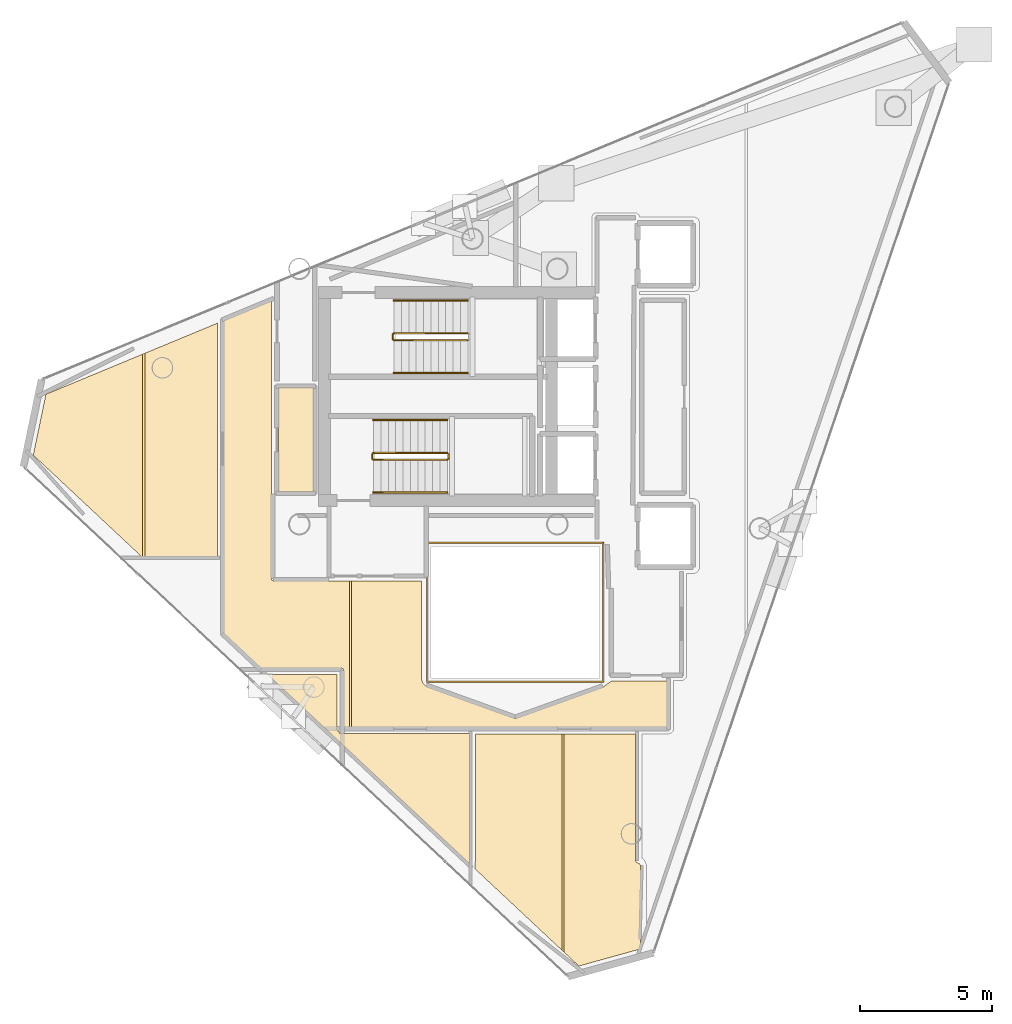
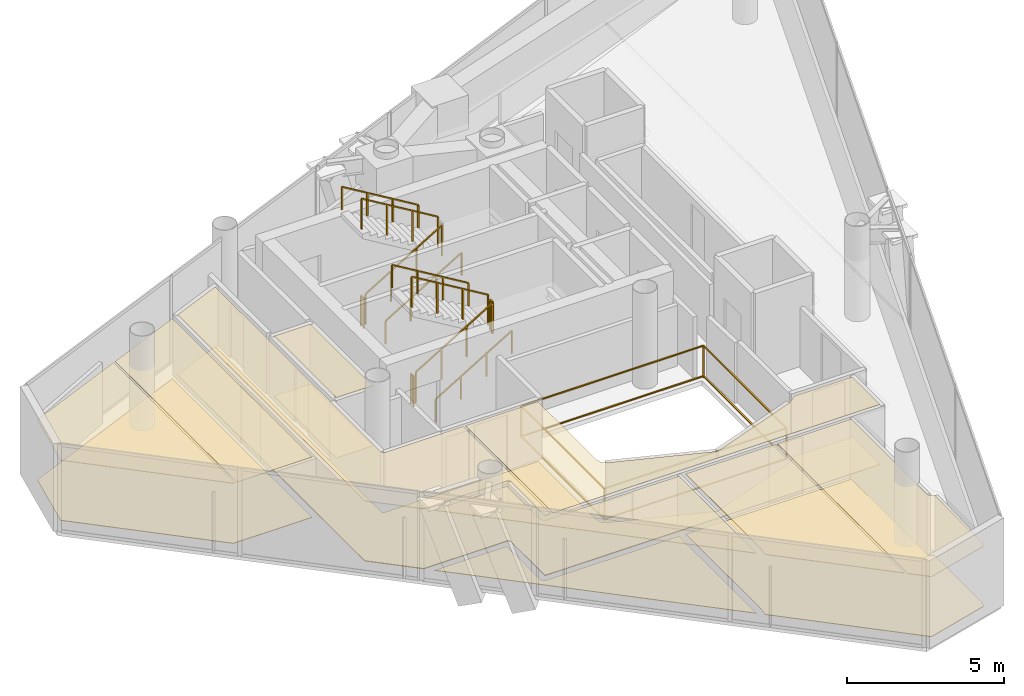
# One storey, part 17 of 18: 13 coverings, 12 railings.
"""IFC4 building model written with IfcOpenShell, lengths in metres."""

from ifc_helpers import new_model, si_unit, direction, frame, origin, origin_2d, place, context, subcontext, project, spatial, polyline, rectangle, outline, extrude, material, layer, layer_set, type_object, element, save


model = new_model("IFC4")

# Units and contexts
model_context = context("Model", 3, precision=1e-05, world=origin(), true_north=direction((0.0, 1.0)))
body_context = subcontext(model_context, "Body", "Model", "MODEL_VIEW")
ifc_project = project(units=[si_unit("LENGTHUNIT", "METRE"), si_unit("AREAUNIT", "SQUARE_METRE"), si_unit("VOLUMEUNIT", "CUBIC_METRE"), si_unit("PLANEANGLEUNIT", "RADIAN"), si_unit("MASSUNIT", "GRAM", prefix="KILO")], contexts=[model_context])

# Site, building, storey
site_placement = place(None, origin())
site = spatial("IfcSite", under=ifc_project, at=site_placement, CompositionType="ELEMENT")
building_placement = place(site_placement, origin())
building = spatial("IfcBuilding", under=site, at=building_placement, Name="Qianvela Tower", CompositionType="ELEMENT")
storey_placement = place(building_placement, frame((0.0, 0.0, 348.10009765625)))
storey = spatial("IfcBuildingStorey", under=building, at=storey_placement, Name="L90", CompositionType="ELEMENT", Elevation=348.10009765625)

# Coverings
ifc_material_1 = material(Name="Perforated Mineral Acoustic Ceiling Tile")
ifc_layer_1 = layer(ifc_material_1, 0.02490234375)
ifc_layer_set_1 = layer_set([ifc_layer_1], Name="Perforated Mineral Acoustic Ceiling Tile")
covering_type_1 = type_object("IfcCoveringType", Name="COV-CEIL-ACOUSTIC-25", PredefinedType="CEILING", material=ifc_layer_set_1)
covering_1_placement = place(storey_placement, frame((0.0, 0.0, 2.324951171875)))
element("IfcCovering", 1, at=covering_1_placement, inside=storey, type_object=covering_type_1, Name="L90 Acoustic Ceiling L90 Core Tea Pantry West", PredefinedType="CEILING", context=body_context, shape_type="SweptSolid", body=[
    extrude(outline(polyline([(27.800048828125, 25.080078125), (27.800048828125, 29.0400390625), (29.139892578125, 29.0400390625), (29.139892578125, 25.080078125), (27.800048828125, 25.080078125)])), origin(), (0.0, 0.0, 1.0), 0.02490234375),
])
covering_2_placement = place(storey_placement, frame((0.0, 0.0, 2.324951171875)))
element("IfcCovering", 2, at=covering_2_placement, inside=storey, type_object=covering_type_1, Name="L90 Acoustic Ceiling Bay 1 L90 Floor Corridor", PredefinedType="CEILING", context=body_context, shape_type="SweptSolid", body=[
    extrude(outline(polyline([(30.280029296875, 16.1298828125), (30.280029296875, 18.300048828125), (30.279541015625, 18.307861328125), (30.278564453125, 18.315673828125), (30.276611328125, 18.3232421875), (30.27392578125, 18.33056640625), (30.2705078125, 18.337646484375), (30.2666015625, 18.344482421875), (30.26171875, 18.350830078125), (30.256591796875, 18.356689453125), (30.250732421875, 18.36181640625), (30.244384765625, 18.366455078125), (30.23779296875, 18.37060546875), (30.230712890625, 18.373779296875), (30.22314453125, 18.376708984375), (30.215576171875, 18.37841796875), (30.207763671875, 18.379638671875), (30.199951171875, 18.3798828125), (27.1337890625, 18.3798828125), (25.72998046875, 19.694580078125), (25.72998046875, 31.5859375), (27.5400390625, 32.336669921875), (27.5400390625, 21.780029296875), (27.540283203125, 21.772216796875), (27.54150390625, 21.764404296875), (27.54345703125, 21.7568359375), (27.546142578125, 21.74951171875), (27.54931640625, 21.7421875), (27.553466796875, 21.735595703125), (27.55810546875, 21.729248046875), (27.5634765625, 21.723388671875), (27.569091796875, 21.71826171875), (27.57568359375, 21.71337890625), (27.582275390625, 21.70947265625), (27.58935546875, 21.7060546875), (27.5966796875, 21.703369140625), (27.6044921875, 21.701416015625), (27.6123046875, 21.700439453125), (27.6201171875, 21.699951171875), (30.49951171875, 21.699951171875), (30.49951171875, 16.1298828125), (30.280029296875, 16.1298828125)])), origin(), (0.0, 0.0, 1.0), 0.02490234375),
])
covering_3_placement = place(storey_placement, frame((0.0, 0.0, 2.324951171875)))
element("IfcCovering", 3, at=covering_3_placement, inside=storey, type_object=covering_type_1, Name="L90 Acoustic Ceiling Bay 2 L90 Floor Corridor", PredefinedType="CEILING", context=body_context, shape_type="SweptSolid", body=[
    extrude(outline(polyline([(33.239990234375, 18.0), (33.240478515625, 17.990234375), (33.242431640625, 17.980712890625), (33.275390625, 17.8486328125), (33.277587890625, 17.841064453125), (33.28076171875, 17.833740234375), (33.284423828125, 17.826904296875), (33.288818359375, 17.8203125), (33.293701171875, 17.814208984375), (33.38525390625, 17.71337890625), (33.390625, 17.7080078125), (33.396728515625, 17.702880859375), (33.4033203125, 17.698486328125), (33.41015625, 17.69482421875), (33.417236328125, 17.69189453125), (36.77294921875, 16.482666015625), (36.780517578125, 16.48046875), (36.7880859375, 16.47900390625), (36.7958984375, 16.47802734375), (36.8037109375, 16.47802734375), (36.811767578125, 16.47900390625), (36.8193359375, 16.48046875), (36.826904296875, 16.482666015625), (40.134033203125, 17.666015625), (40.140869140625, 17.668701171875), (40.1474609375, 17.672119140625), (40.153564453125, 17.676025390625), (40.458740234375, 17.89306640625), (42.570068359375, 17.899658203125), (42.570068359375, 16.1298828125), (30.579345703125, 16.1298828125), (30.579345703125, 21.699951171875), (33.239990234375, 21.699951171875), (33.239990234375, 18.0)])), origin(), (0.0, 0.0, 1.0), 0.02490234375),
])
covering_4_placement = place(storey_placement, frame((0.0, 0.0, 2.324951171875)))
element("IfcCovering", 4, at=covering_4_placement, inside=storey, type_object=covering_type_1, Name="L90 Acoustic Ceiling Maker Craft Workshop L90-01", PredefinedType="CEILING", context=body_context, shape_type="SweptSolid", body=[
    extrude(outline(polyline([(30.0400390625, 18.139892578125), (30.0400390625, 16.050048828125), (30.040283203125, 16.042236328125), (30.04150390625, 16.034423828125), (30.04345703125, 16.02685546875), (30.046142578125, 16.019287109375), (30.04931640625, 16.01220703125), (30.053466796875, 16.005615234375), (30.05810546875, 15.999267578125), (30.12255859375, 15.9208984375), (30.127685546875, 15.9150390625), (30.133544921875, 15.90966796875), (30.139892578125, 15.905029296875), (30.146728515625, 15.90087890625), (30.15380859375, 15.897705078125), (30.1611328125, 15.89501953125), (30.168701171875, 15.89306640625), (30.176513671875, 15.891845703125), (30.184326171875, 15.8916015625), (35.05712890625, 15.890869140625), (35.05712890625, 10.96044921875), (27.39013671875, 18.139892578125), (30.0400390625, 18.139892578125)])), origin(), (0.0, 0.0, 1.0), 0.02490234375),
])
covering_5_placement = place(storey_placement, frame((0.0, 0.0, 2.324951171875)))
element("IfcCovering", 5, at=covering_5_placement, inside=storey, type_object=covering_type_1, Name="L90 Acoustic Ceiling Bay 1 Student Reading Library L90-02", PredefinedType="CEILING", context=body_context, shape_type="SweptSolid", body=[
    extrude(outline(polyline([(35.279296875, 11.01708984375), (35.2841796875, 11.02294921875), (35.28857421875, 11.029052734375), (35.292236328125, 11.03564453125), (35.29541015625, 11.04248046875), (35.2978515625, 11.0498046875), (35.2998046875, 11.056884765625), (35.30078125, 11.064453125), (35.301025390625, 11.072021484375), (35.301025390625, 15.889892578125), (38.57421875, 15.889892578125), (38.57421875, 7.666748046875), (35.26416015625, 10.7666015625), (35.276611328125, 11.0146484375), (35.279296875, 11.01708984375)])), origin(), (0.0, 0.0, 1.0), 0.02490234375),
])
covering_6_placement = place(storey_placement, frame((0.0, 0.0, 2.324951171875)))
element("IfcCovering", 6, at=covering_6_placement, inside=storey, type_object=covering_type_1, Name="L90 Acoustic Ceiling Bay 2 Student Reading Library L90-02", PredefinedType="CEILING", context=body_context, shape_type="SweptSolid", body=[
    extrude(outline(polyline([(41.3779296875, 15.889892578125), (41.3779296875, 11.072021484375), (41.37841796875, 11.064208984375), (41.37939453125, 11.056396484375), (41.38134765625, 11.048828125), (41.384033203125, 11.04150390625), (41.387451171875, 11.0341796875), (41.3916015625, 11.027587890625), (41.396240234375, 11.021240234375), (41.4013671875, 11.015380859375), (41.4072265625, 11.01025390625), (41.41357421875, 11.005615234375), (41.42041015625, 11.00146484375), (41.427490234375, 10.998046875), (41.52392578125, 10.9580078125), (41.55810546875, 10.876220703125), (41.55810546875, 7.888916015625), (41.49267578125, 7.69677734375), (39.21630859375, 7.065673828125), (38.654296875, 7.591796875), (38.654296875, 15.889892578125), (41.3779296875, 15.889892578125)])), origin(), (0.0, 0.0, 1.0), 0.02490234375),
])
covering_7_placement = place(storey_placement, frame((0.0, 0.0, 2.324951171875)))
element("IfcCovering", 7, at=covering_7_placement, inside=storey, type_object=covering_type_1, Name="L90 Acoustic Ceiling Bay 1 Student Fitness Gym L90-04", PredefinedType="CEILING", context=body_context, shape_type="SweptSolid", body=[
    extrude(outline(polyline([(22.60400390625, 22.6220703125), (18.493896484375, 26.470947265625), (18.974365234375, 28.78369140625), (22.65087890625, 30.30859375), (22.65087890625, 22.6220703125), (22.60400390625, 22.6220703125)])), origin(), (0.0, 0.0, 1.0), 0.02490234375),
])
covering_8_placement = place(storey_placement, frame((0.0, 0.0, 2.324951171875)))
element("IfcCovering", 8, at=covering_8_placement, inside=storey, type_object=covering_type_1, Name="L90 Acoustic Ceiling Bay 2 Student Fitness Gym L90-04", PredefinedType="CEILING", context=body_context, shape_type="SweptSolid", body=[
    extrude(outline(polyline([(25.489990234375, 22.6220703125), (22.730712890625, 22.6220703125), (22.730712890625, 30.341796875), (25.489990234375, 31.486328125), (25.489990234375, 22.6220703125)])), origin(), (0.0, 0.0, 1.0), 0.02490234375),
])
ifc_material_2 = material(Name="Engineered Acoustic Oak Timber Flooring", Category="wood")
ifc_layer_2 = layer(ifc_material_2, 0.02001953125)
ifc_layer_set_2 = layer_set([ifc_layer_2], Name="Engineered Acoustic Oak Timber Flooring")
covering_type_2 = type_object("IfcCoveringType", Name="COV-FLOOR-OAK-20", PredefinedType="FLOORING", material=ifc_layer_set_2)
covering_9_placement = place(storey_placement, origin())
element("IfcCovering", 9, at=covering_9_placement, inside=storey, type_object=covering_type_2, Name="L90 Finish Flooring L90 Core Tea Pantry West", PredefinedType="FLOORING", context=body_context, shape_type="SweptSolid", body=[
    extrude(outline(polyline([(27.800048828125, 25.080078125), (27.800048828125, 29.0400390625), (29.139892578125, 29.0400390625), (29.139892578125, 25.080078125), (27.800048828125, 25.080078125)])), origin(), (0.0, 0.0, 1.0), 0.02001953125),
])
covering_10_placement = place(storey_placement, origin())
element("IfcCovering", 10, at=covering_10_placement, inside=storey, type_object=covering_type_2, Name="L90 Finish Flooring Maker Craft Workshop L90-01", PredefinedType="FLOORING", context=body_context, shape_type="SweptSolid", body=[
    extrude(outline(polyline([(30.0400390625, 18.139892578125), (30.0400390625, 16.050048828125), (30.040283203125, 16.042236328125), (30.04150390625, 16.034423828125), (30.04345703125, 16.02685546875), (30.046142578125, 16.019287109375), (30.04931640625, 16.01220703125), (30.053466796875, 16.005615234375), (30.05810546875, 15.999267578125), (30.12255859375, 15.9208984375), (30.127685546875, 15.9150390625), (30.133544921875, 15.90966796875), (30.139892578125, 15.905029296875), (30.146728515625, 15.90087890625), (30.15380859375, 15.897705078125), (30.1611328125, 15.89501953125), (30.168701171875, 15.89306640625), (30.176513671875, 15.891845703125), (30.184326171875, 15.8916015625), (35.05712890625, 15.890869140625), (35.05712890625, 10.96044921875), (27.39013671875, 18.139892578125), (30.0400390625, 18.139892578125)])), origin(), (0.0, 0.0, 1.0), 0.02001953125),
])
covering_11_placement = place(storey_placement, origin())
element("IfcCovering", 11, at=covering_11_placement, inside=storey, type_object=covering_type_2, Name="L90 Finish Flooring Student Reading Library L90-02", PredefinedType="FLOORING", context=body_context, shape_type="SweptSolid", body=[
    extrude(outline(polyline([(35.276611328125, 11.0146484375), (35.279296875, 11.01708984375), (35.2841796875, 11.02294921875), (35.28857421875, 11.029052734375), (35.292236328125, 11.03564453125), (35.29541015625, 11.04248046875), (35.2978515625, 11.0498046875), (35.2998046875, 11.056884765625), (35.30078125, 11.064453125), (35.301025390625, 11.072021484375), (35.301025390625, 15.889892578125), (41.3779296875, 15.889892578125), (41.3779296875, 11.072021484375), (41.37841796875, 11.064208984375), (41.37939453125, 11.056396484375), (41.38134765625, 11.048828125), (41.384033203125, 11.04150390625), (41.387451171875, 11.0341796875), (41.3916015625, 11.027587890625), (41.396240234375, 11.021240234375), (41.4013671875, 11.015380859375), (41.4072265625, 11.01025390625), (41.41357421875, 11.005615234375), (41.42041015625, 11.00146484375), (41.427490234375, 10.998046875), (41.52392578125, 10.9580078125), (41.55810546875, 10.876220703125), (41.55810546875, 7.888916015625), (41.49267578125, 7.69677734375), (39.21630859375, 7.065673828125), (35.26416015625, 10.7666015625), (35.276611328125, 11.0146484375)])), origin(), (0.0, 0.0, 1.0), 0.02001953125),
])
covering_12_placement = place(storey_placement, origin())
element("IfcCovering", 12, at=covering_12_placement, inside=storey, type_object=covering_type_2, Name="L90 Finish Flooring Student Fitness Gym L90-04", PredefinedType="FLOORING", context=body_context, shape_type="SweptSolid", body=[
    extrude(outline(polyline([(25.489990234375, 31.486328125), (25.489990234375, 22.6220703125), (22.60400390625, 22.6220703125), (18.493896484375, 26.470947265625), (18.974365234375, 28.78369140625), (25.489990234375, 31.486328125)])), origin(), (0.0, 0.0, 1.0), 0.02001953125),
])
ifc_material_3 = material(Name="Honed Stone Terrazzo Flooring", Category="masonry")
ifc_layer_3 = layer(ifc_material_3, 0.030029296875)
ifc_layer_set_3 = layer_set([ifc_layer_3], Name="Honed Stone Terrazzo Flooring")
covering_type_3 = type_object("IfcCoveringType", Name="COV-FLOOR-TERRAZZO-30", PredefinedType="FLOORING", material=ifc_layer_set_3)
covering_13_placement = place(storey_placement, origin())
element("IfcCovering", 13, at=covering_13_placement, inside=storey, type_object=covering_type_3, Name="L90 Finish Flooring L90 Floor Corridor", PredefinedType="FLOORING", context=body_context, shape_type="SweptSolid", body=[
    extrude(outline(polyline([(33.239990234375, 21.699951171875), (33.239990234375, 18.0), (33.240478515625, 17.990234375), (33.242431640625, 17.980712890625), (33.275390625, 17.8486328125), (33.277587890625, 17.841064453125), (33.28076171875, 17.833740234375), (33.284423828125, 17.826904296875), (33.288818359375, 17.8203125), (33.293701171875, 17.814208984375), (33.38525390625, 17.71337890625), (33.390625, 17.7080078125), (33.396728515625, 17.702880859375), (33.4033203125, 17.698486328125), (33.41015625, 17.69482421875), (33.417236328125, 17.69189453125), (36.77294921875, 16.482666015625), (36.780517578125, 16.48046875), (36.7880859375, 16.47900390625), (36.7958984375, 16.47802734375), (36.8037109375, 16.47802734375), (36.811767578125, 16.47900390625), (36.8193359375, 16.48046875), (36.826904296875, 16.482666015625), (40.134033203125, 17.666015625), (40.140869140625, 17.668701171875), (40.1474609375, 17.672119140625), (40.153564453125, 17.676025390625), (40.458740234375, 17.89306640625), (42.570068359375, 17.899658203125), (42.570068359375, 16.1298828125), (30.280029296875, 16.1298828125), (30.280029296875, 18.300048828125), (30.279541015625, 18.307861328125), (30.278564453125, 18.315673828125), (30.276611328125, 18.3232421875), (30.27392578125, 18.33056640625), (30.2705078125, 18.337646484375), (30.2666015625, 18.344482421875), (30.26171875, 18.350830078125), (30.256591796875, 18.356689453125), (30.250732421875, 18.36181640625), (30.244384765625, 18.366455078125), (30.23779296875, 18.37060546875), (30.230712890625, 18.373779296875), (30.22314453125, 18.376708984375), (30.215576171875, 18.37841796875), (30.207763671875, 18.379638671875), (30.199951171875, 18.3798828125), (27.1337890625, 18.3798828125), (25.72998046875, 19.694580078125), (25.72998046875, 31.5859375), (27.5400390625, 32.336669921875), (27.5400390625, 21.780029296875), (27.540283203125, 21.772216796875), (27.54150390625, 21.764404296875), (27.54345703125, 21.7568359375), (27.546142578125, 21.74951171875), (27.54931640625, 21.7421875), (27.553466796875, 21.735595703125), (27.55810546875, 21.729248046875), (27.5634765625, 21.723388671875), (27.569091796875, 21.71826171875), (27.57568359375, 21.71337890625), (27.582275390625, 21.70947265625), (27.58935546875, 21.7060546875), (27.5966796875, 21.703369140625), (27.6044921875, 21.701416015625), (27.6123046875, 21.700439453125), (27.6201171875, 21.699951171875), (33.239990234375, 21.699951171875)])), origin(), (0.0, 0.0, 1.0), 0.02978515625),
])

# Railings
ifc_material_4 = material(Name="Laminated Safety Glass and Stainless Steel 316", Category="steel")
railing_type_1 = type_object("IfcRailingType", Name="RL-ATRIUM-GUARD-1250", PredefinedType="GUARDRAIL", material=ifc_material_4)
railing_1_placement = place(storey_placement, frame((33.4599609375, 17.860107421875, 0.0)))
element("IfcRailing", 14, at=railing_1_placement, inside=storey, type_object=railing_type_1, Name="L90 Atrium Edge Guardrail 1", PredefinedType="GUARDRAIL", context=body_context, shape_type="SweptSolid", body=[
    extrude(rectangle(XDim=0.050048828125, YDim=0.0400390625, at=origin_2d()), frame((0.0, 0.0, 1.22998046875), z_axis=(0.0, 1.0, 0.0), x_axis=(-1.0, 0.0, 0.0)), (0.0, 0.0, 1.0), 5.27978515625),
    extrude(rectangle(XDim=0.050048828125, YDim=0.0400390625, at=origin_2d()), frame((0.0, 0.0, 0.050048828125), z_axis=(0.0, 1.0, 0.0), x_axis=(-1.0, 0.0, 0.0)), (0.0, 0.0, 1.0), 5.27978515625),
    extrude(rectangle(XDim=0.050048828125, YDim=0.0400390625, at=origin_2d()), frame((0.0, 5.27978515625, 1.22998046875), z_axis=(1.0, 0.0, 0.0), x_axis=(0.0, 1.0, 0.0)), (0.0, 0.0, 1.0), 6.679931640625),
    extrude(rectangle(XDim=0.050048828125, YDim=0.0400390625, at=origin_2d()), frame((0.0, 5.27978515625, 0.050048828125), z_axis=(1.0, 0.0, 0.0), x_axis=(0.0, 1.0, 0.0)), (0.0, 0.0, 1.0), 6.679931640625),
    extrude(rectangle(XDim=0.050048828125, YDim=0.0400390625, at=origin_2d()), frame((6.679931640625, 5.27978515625, 1.22998046875), z_axis=(0.0, -1.0, 0.0), x_axis=(1.0, 0.0, 0.0)), (0.0, 0.0, 1.0), 5.27978515625),
    extrude(rectangle(XDim=0.050048828125, YDim=0.0400390625, at=origin_2d()), frame((6.679931640625, 5.27978515625, 0.050048828125), z_axis=(0.0, -1.0, 0.0), x_axis=(1.0, 0.0, 0.0)), (0.0, 0.0, 1.0), 5.27978515625),
    extrude(rectangle(XDim=0.050048828125, YDim=0.0400390625, at=origin_2d()), frame((6.679931640625, 0.0, 1.22998046875), z_axis=(-1.0, 0.0, 0.0), x_axis=(0.0, -1.0, 0.0)), (0.0, 0.0, 1.0), 6.679931640625),
    extrude(rectangle(XDim=0.050048828125, YDim=0.0400390625, at=origin_2d()), frame((6.679931640625, 0.0, 0.050048828125), z_axis=(-1.0, 0.0, 0.0), x_axis=(0.0, -1.0, 0.0)), (0.0, 0.0, 1.0), 6.679931640625),
    extrude(rectangle(XDim=0.050048828125, YDim=0.050048828125, at=origin_2d()), origin(), (0.0, 0.0, 1.0), 1.2099609375),
    extrude(rectangle(XDim=0.050048828125, YDim=0.050048828125, at=origin_2d()), frame((0.0, 5.27978515625, 0.0)), (0.0, 0.0, 1.0), 1.2099609375),
    extrude(rectangle(XDim=0.050048828125, YDim=0.050048828125, at=origin_2d()), frame((6.679931640625, 5.27978515625, 0.0)), (0.0, 0.0, 1.0), 1.2099609375),
    extrude(rectangle(XDim=0.050048828125, YDim=0.050048828125, at=origin_2d()), frame((6.679931640625, 0.0, 0.0)), (0.0, 0.0, 1.0), 1.2099609375),
])
ifc_material_5 = material(Name="Painted Tubular Steel Q355B", Category="steel")
railing_type_2 = type_object("IfcRailingType", Name="RL-STAIR-GUARD-1200", PredefinedType="GUARDRAIL", material=ifc_material_5)
railing_2_placement = place(storey_placement, frame((32.199951171875, 30.840087890625, 0.16796875)))
element("IfcRailing", 15, at=railing_2_placement, inside=storey, type_object=railing_type_2, Name="L90 ST-1 stair guard 1", PredefinedType="GUARDRAIL", context=body_context, shape_type="SweptSolid", body=[
    extrude(rectangle(XDim=0.050048828125, YDim=0.0400390625, at=origin_2d()), frame((0.0, 0.0, 1.179931640625), z_axis=(0.857242210791, 0.0, 0.514913383045), x_axis=(0.0, 1.0, 0.0)), (0.0, 0.0, 1.0), 3.266357421875),
    extrude(rectangle(XDim=0.050048828125, YDim=0.050048828125, at=origin_2d()), origin(), (0.0, 0.0, 1.0), 1.159912109375),
    extrude(rectangle(XDim=0.050048828125, YDim=0.050048828125, at=origin_2d()), frame((0.933349609375, 0.0, 0.560546875)), (0.0, 0.0, 1.0), 1.159912109375),
    extrude(rectangle(XDim=0.050048828125, YDim=0.050048828125, at=origin_2d()), frame((1.86669921875, 0.0, 1.121337890625)), (0.0, 0.0, 1.0), 1.159912109375),
    extrude(rectangle(XDim=0.050048828125, YDim=0.050048828125, at=origin_2d()), frame((2.800048828125, 0.0, 1.681884765625)), (0.0, 0.0, 1.0), 1.159912109375),
])
railing_3_placement = place(storey_placement, frame((35.0, 31.10009765625, 2.01806640625)))
element("IfcRailing", 16, at=railing_3_placement, inside=storey, type_object=railing_type_2, Name="L90 ST-1 stair guard 3", PredefinedType="GUARDRAIL", context=body_context, shape_type="SweptSolid", body=[
    extrude(rectangle(XDim=0.050048828125, YDim=0.0400390625, at=origin_2d()), frame((0.0, 0.0, 1.179931640625), z_axis=(-0.857242210791, 0.0, 0.514913383045), x_axis=(0.0, -1.0, 0.0)), (0.0, 0.0, 1.0), 3.266357421875),
    extrude(rectangle(XDim=0.050048828125, YDim=0.050048828125, at=origin_2d()), origin(), (0.0, 0.0, 1.0), 1.159912109375),
    extrude(rectangle(XDim=0.050048828125, YDim=0.050048828125, at=origin_2d()), frame((-0.933349609375, 0.0, 0.560546875)), (0.0, 0.0, 1.0), 1.159912109375),
    extrude(rectangle(XDim=0.050048828125, YDim=0.050048828125, at=origin_2d()), frame((-1.86669921875, 0.0, 1.121337890625)), (0.0, 0.0, 1.0), 1.159912109375),
    extrude(rectangle(XDim=0.050048828125, YDim=0.050048828125, at=origin_2d()), frame((-2.800048828125, 0.0, 1.681884765625)), (0.0, 0.0, 1.0), 1.159912109375),
])
railing_4_placement = place(storey_placement, frame((32.14990234375, 30.889892578125, 0.0)))
element("IfcRailing", 17, at=railing_4_placement, inside=storey, type_object=railing_type_2, Name="L90 ST-1 stair guard 4", PredefinedType="GUARDRAIL", context=body_context, shape_type="SweptSolid", body=[
    extrude(rectangle(XDim=0.050048828125, YDim=0.0400390625, at=origin_2d()), frame((0.0, 0.0, 1.179931640625), z_axis=(0.0, 1.0, 0.0), x_axis=(-1.0, 0.0, 0.0)), (0.0, 0.0, 1.0), 0.16015625),
    extrude(rectangle(XDim=0.050048828125, YDim=0.050048828125, at=origin_2d()), origin(), (0.0, 0.0, 1.0), 1.159912109375),
    extrude(rectangle(XDim=0.050048828125, YDim=0.050048828125, at=origin_2d()), frame((0.0, 0.16015625, 0.0)), (0.0, 0.0, 1.0), 1.159912109375),
])
railing_5_placement = place(storey_placement, frame((31.419921875, 26.300048828125, 0.16796875)))
element("IfcRailing", 18, at=railing_5_placement, inside=storey, type_object=railing_type_2, Name="L90 ST-2 stair guard 1", PredefinedType="GUARDRAIL", context=body_context, shape_type="SweptSolid", body=[
    extrude(rectangle(XDim=0.050048828125, YDim=0.0400390625, at=origin_2d()), frame((0.0, 0.0, 1.179931640625), z_axis=(0.857242210791, 0.0, 0.514913383045), x_axis=(0.0, 1.0, 0.0)), (0.0, 0.0, 1.0), 3.266357421875),
    extrude(rectangle(XDim=0.050048828125, YDim=0.050048828125, at=origin_2d()), origin(), (0.0, 0.0, 1.0), 1.159912109375),
    extrude(rectangle(XDim=0.050048828125, YDim=0.050048828125, at=origin_2d()), frame((0.933349609375, 0.0, 0.560546875)), (0.0, 0.0, 1.0), 1.159912109375),
    extrude(rectangle(XDim=0.050048828125, YDim=0.050048828125, at=origin_2d()), frame((1.86669921875, 0.0, 1.121337890625)), (0.0, 0.0, 1.0), 1.159912109375),
    extrude(rectangle(XDim=0.050048828125, YDim=0.050048828125, at=origin_2d()), frame((2.800048828125, 0.0, 1.681884765625)), (0.0, 0.0, 1.0), 1.159912109375),
])
railing_6_placement = place(storey_placement, frame((34.27001953125, 26.35009765625, 1.849853515625)))
element("IfcRailing", 19, at=railing_6_placement, inside=storey, type_object=railing_type_2, Name="L90 ST-2 stair guard 2", PredefinedType="GUARDRAIL", context=body_context, shape_type="SweptSolid", body=[
    extrude(rectangle(XDim=0.050048828125, YDim=0.0400390625, at=origin_2d()), frame((0.0, 0.0, 1.179931640625), z_axis=(0.0, 1.0, 0.0), x_axis=(-1.0, 0.0, 0.0)), (0.0, 0.0, 1.0), 0.159912109375),
    extrude(rectangle(XDim=0.050048828125, YDim=0.050048828125, at=origin_2d()), origin(), (0.0, 0.0, 1.0), 1.159912109375),
    extrude(rectangle(XDim=0.050048828125, YDim=0.050048828125, at=origin_2d()), frame((0.0, 0.159912109375, 0.0)), (0.0, 0.0, 1.0), 1.159912109375),
])
railing_7_placement = place(storey_placement, frame((34.219970703125, 26.56005859375, 2.01806640625)))
element("IfcRailing", 20, at=railing_7_placement, inside=storey, type_object=railing_type_2, Name="L90 ST-2 stair guard 3", PredefinedType="GUARDRAIL", context=body_context, shape_type="SweptSolid", body=[
    extrude(rectangle(XDim=0.050048828125, YDim=0.0400390625, at=origin_2d()), frame((0.0, 0.0, 1.179931640625), z_axis=(-0.857242210791, 0.0, 0.514913383045), x_axis=(0.0, -1.0, 0.0)), (0.0, 0.0, 1.0), 3.266357421875),
    extrude(rectangle(XDim=0.050048828125, YDim=0.050048828125, at=origin_2d()), origin(), (0.0, 0.0, 1.0), 1.159912109375),
    extrude(rectangle(XDim=0.050048828125, YDim=0.050048828125, at=origin_2d()), frame((-0.933349609375, 0.0, 0.560546875)), (0.0, 0.0, 1.0), 1.159912109375),
    extrude(rectangle(XDim=0.050048828125, YDim=0.050048828125, at=origin_2d()), frame((-1.86669921875, 0.0, 1.121337890625)), (0.0, 0.0, 1.0), 1.159912109375),
    extrude(rectangle(XDim=0.050048828125, YDim=0.050048828125, at=origin_2d()), frame((-2.800048828125, 0.0, 1.681884765625)), (0.0, 0.0, 1.0), 1.159912109375),
])
railing_8_placement = place(storey_placement, frame((31.3701171875, 26.35009765625, 0.0)))
element("IfcRailing", 21, at=railing_8_placement, inside=storey, type_object=railing_type_2, Name="L90 ST-2 stair guard 4", PredefinedType="GUARDRAIL", context=body_context, shape_type="SweptSolid", body=[
    extrude(rectangle(XDim=0.050048828125, YDim=0.0400390625, at=origin_2d()), frame((0.0, 0.0, 1.179931640625), z_axis=(0.0, 1.0, 0.0), x_axis=(-1.0, 0.0, 0.0)), (0.0, 0.0, 1.0), 0.159912109375),
    extrude(rectangle(XDim=0.050048828125, YDim=0.050048828125, at=origin_2d()), origin(), (0.0, 0.0, 1.0), 1.159912109375),
    extrude(rectangle(XDim=0.050048828125, YDim=0.050048828125, at=origin_2d()), frame((0.0, 0.159912109375, 0.0)), (0.0, 0.0, 1.0), 1.159912109375),
])
ifc_material_6 = material(Name="Brushed Stainless Steel 304", Category="steel")
railing_type_3 = type_object("IfcRailingType", Name="RL-STAIR-HANDRAIL-900", PredefinedType="HANDRAIL", material=ifc_material_6)
railing_9_placement = place(storey_placement, frame((32.199951171875, 29.590087890625, 0.16796875)))
element("IfcRailing", 22, at=railing_9_placement, inside=storey, type_object=railing_type_3, Name="L90 ST-1 stair handrail 1", PredefinedType="HANDRAIL", context=body_context, shape_type="SweptSolid", body=[
    extrude(rectangle(XDim=0.050048828125, YDim=0.0400390625, at=origin_2d()), frame((0.0, 0.0, 0.8798828125), z_axis=(0.857242210791, 0.0, 0.514913383045), x_axis=(0.0, 1.0, 0.0)), (0.0, 0.0, 1.0), 3.266357421875),
    extrude(rectangle(XDim=0.050048828125, YDim=0.050048828125, at=origin_2d()), origin(), (0.0, 0.0, 1.0), 0.85986328125),
    extrude(rectangle(XDim=0.050048828125, YDim=0.050048828125, at=origin_2d()), frame((0.933349609375, 0.0, 0.560546875)), (0.0, 0.0, 1.0), 0.85986328125),
    extrude(rectangle(XDim=0.050048828125, YDim=0.050048828125, at=origin_2d()), frame((1.86669921875, 0.0, 1.121337890625)), (0.0, 0.0, 1.0), 0.85986328125),
    extrude(rectangle(XDim=0.050048828125, YDim=0.050048828125, at=origin_2d()), frame((2.800048828125, 0.0, 1.681884765625)), (0.0, 0.0, 1.0), 0.85986328125),
])
railing_10_placement = place(storey_placement, frame((35.0, 32.35009765625, 2.01806640625)))
element("IfcRailing", 23, at=railing_10_placement, inside=storey, type_object=railing_type_3, Name="L90 ST-1 stair handrail 2", PredefinedType="HANDRAIL", context=body_context, shape_type="SweptSolid", body=[
    extrude(rectangle(XDim=0.050048828125, YDim=0.0400390625, at=origin_2d()), frame((0.0, 0.0, 0.8798828125), z_axis=(-0.857242210791, 0.0, 0.514913383045), x_axis=(0.0, -1.0, 0.0)), (0.0, 0.0, 1.0), 3.266357421875),
    extrude(rectangle(XDim=0.050048828125, YDim=0.050048828125, at=origin_2d()), origin(), (0.0, 0.0, 1.0), 0.85986328125),
    extrude(rectangle(XDim=0.050048828125, YDim=0.050048828125, at=origin_2d()), frame((-0.933349609375, 0.0, 0.560546875)), (0.0, 0.0, 1.0), 0.85986328125),
    extrude(rectangle(XDim=0.050048828125, YDim=0.050048828125, at=origin_2d()), frame((-1.86669921875, 0.0, 1.121337890625)), (0.0, 0.0, 1.0), 0.85986328125),
    extrude(rectangle(XDim=0.050048828125, YDim=0.050048828125, at=origin_2d()), frame((-2.800048828125, 0.0, 1.681884765625)), (0.0, 0.0, 1.0), 0.85986328125),
])
railing_11_placement = place(storey_placement, frame((31.419921875, 25.050048828125, 0.16796875)))
element("IfcRailing", 24, at=railing_11_placement, inside=storey, type_object=railing_type_3, Name="L90 ST-2 stair handrail 1", PredefinedType="HANDRAIL", context=body_context, shape_type="SweptSolid", body=[
    extrude(rectangle(XDim=0.050048828125, YDim=0.0400390625, at=origin_2d()), frame((0.0, 0.0, 0.8798828125), z_axis=(0.857242210791, 0.0, 0.514913383045), x_axis=(0.0, 1.0, 0.0)), (0.0, 0.0, 1.0), 3.266357421875),
    extrude(rectangle(XDim=0.050048828125, YDim=0.050048828125, at=origin_2d()), origin(), (0.0, 0.0, 1.0), 0.85986328125),
    extrude(rectangle(XDim=0.050048828125, YDim=0.050048828125, at=origin_2d()), frame((0.933349609375, 0.0, 0.560546875)), (0.0, 0.0, 1.0), 0.85986328125),
    extrude(rectangle(XDim=0.050048828125, YDim=0.050048828125, at=origin_2d()), frame((1.86669921875, 0.0, 1.121337890625)), (0.0, 0.0, 1.0), 0.85986328125),
    extrude(rectangle(XDim=0.050048828125, YDim=0.050048828125, at=origin_2d()), frame((2.800048828125, 0.0, 1.681884765625)), (0.0, 0.0, 1.0), 0.85986328125),
])
railing_12_placement = place(storey_placement, frame((34.219970703125, 27.81005859375, 2.01806640625)))
element("IfcRailing", 25, at=railing_12_placement, inside=storey, type_object=railing_type_3, Name="L90 ST-2 stair handrail 2", PredefinedType="HANDRAIL", context=body_context, shape_type="SweptSolid", body=[
    extrude(rectangle(XDim=0.050048828125, YDim=0.0400390625, at=origin_2d()), frame((0.0, 0.0, 0.8798828125), z_axis=(-0.857242210791, 0.0, 0.514913383045), x_axis=(0.0, -1.0, 0.0)), (0.0, 0.0, 1.0), 3.266357421875),
    extrude(rectangle(XDim=0.050048828125, YDim=0.050048828125, at=origin_2d()), origin(), (0.0, 0.0, 1.0), 0.85986328125),
    extrude(rectangle(XDim=0.050048828125, YDim=0.050048828125, at=origin_2d()), frame((-0.933349609375, 0.0, 0.560546875)), (0.0, 0.0, 1.0), 0.85986328125),
    extrude(rectangle(XDim=0.050048828125, YDim=0.050048828125, at=origin_2d()), frame((-1.86669921875, 0.0, 1.121337890625)), (0.0, 0.0, 1.0), 0.85986328125),
    extrude(rectangle(XDim=0.050048828125, YDim=0.050048828125, at=origin_2d()), frame((-2.800048828125, 0.0, 1.681884765625)), (0.0, 0.0, 1.0), 0.85986328125),
])

save(model, "model.ifc")
